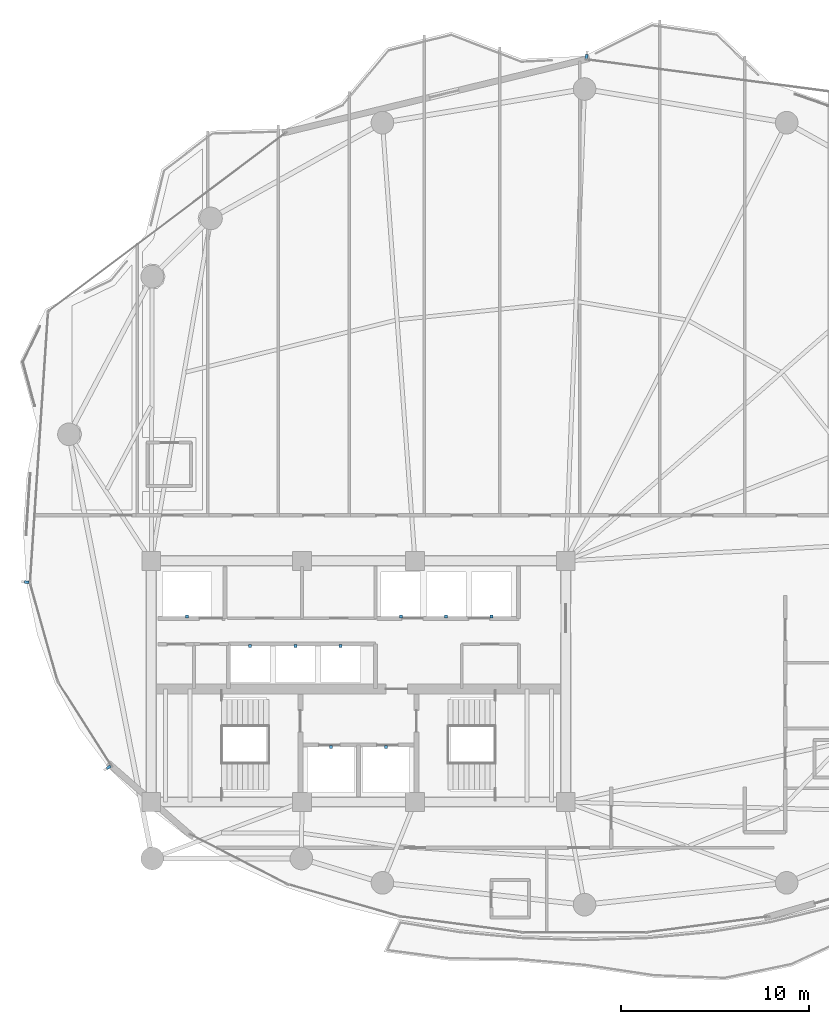
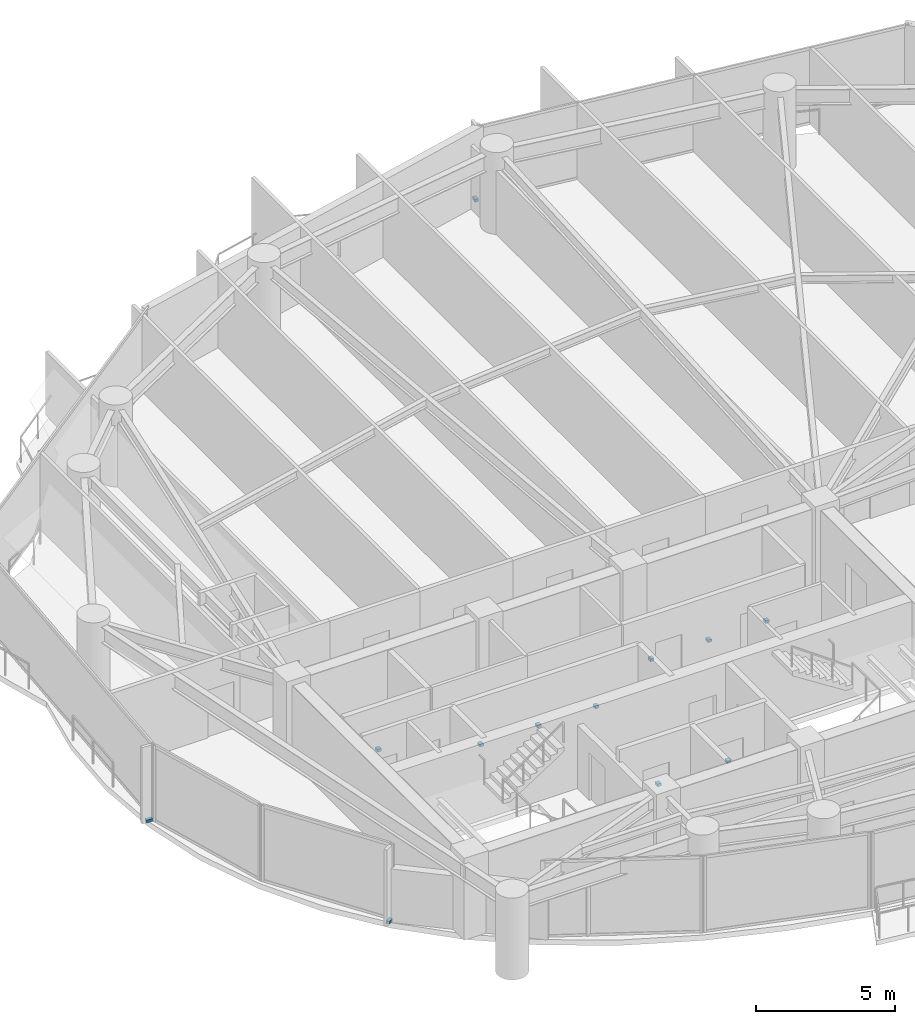
# One storey, part 28 of 31: 12 discrete accessories.
"""IFC4 building model written with IfcOpenShell, lengths in metres."""

from ifc_helpers import new_model, si_unit, direction, frame, origin, origin_2d, place, context, subcontext, project, spatial, rectangle, extrude, material, type_object, element, save


model = new_model("IFC4")

# Units and contexts
model_context = context("Model", 3, precision=1e-05, world=origin(), true_north=direction((0.0, 1.0)))
body_context = subcontext(model_context, "Body", "Model", "MODEL_VIEW")
ifc_project = project(units=[si_unit("LENGTHUNIT", "METRE"), si_unit("AREAUNIT", "SQUARE_METRE"), si_unit("VOLUMEUNIT", "CUBIC_METRE"), si_unit("PLANEANGLEUNIT", "RADIAN"), si_unit("MASSUNIT", "GRAM", prefix="KILO")], contexts=[model_context])

# Site, building, storey
site_placement = place(None, origin())
site = spatial("IfcSite", under=ifc_project, at=site_placement, CompositionType="ELEMENT")
building_placement = place(site_placement, origin())
building = spatial("IfcBuilding", under=site, at=building_placement, Name="Kazevale Care Tower and Concert Hall", CompositionType="ELEMENT")
storey_placement = place(building_placement, frame((0.0, 0.0, 124.199951171875)))
storey = spatial("IfcBuildingStorey", under=building, at=storey_placement, Name="L32", CompositionType="ELEMENT", Elevation=124.199951171875)

# Discrete accessories
ifc_material = material(Name="Stainless Steel 316", Category="steel")
discrete_accessory_type_1 = type_object("IfcDiscreteAccessoryType", Name="Facade Fin Stainless Anchor Bracket BRK-1", PredefinedType="BRACKET", material=ifc_material)
for number, where, z_axis, x_axis, name in (
    (1, (19.739013671875, 25.4443359375, 0.0), (0.0, 0.0, 1.0), (-0.843391445813, -0.537299608347, 0.0), "cw:L32:f11:brk"),
    (2, (15.39892578125, 35.273193359375, 0.0), (0.0, 0.0, 1.0), (-0.997778273548, 0.066622194773, 0.0), "cw:L32:f13:brk"),
    (3, (45.1044921875, 63.1708984375, 0.0), (0.0, 0.0, 1.0), (0.130872263805, 0.991399238736, 0.0), "cw:L32:f16:brk"),
):
    element("IfcDiscreteAccessory", number, at=place(storey_placement, frame(where, z_axis=z_axis, x_axis=x_axis)), inside=storey, type_object=discrete_accessory_type_1, Name=name, PredefinedType="BRACKET", context=body_context, shape_type="SweptSolid", body=[
        extrude(rectangle(XDim=0.239990234375, YDim=0.139892578125, at=origin_2d()), origin(), (0.0, 0.0, 1.0), 0.1201171875),
    ])
discrete_accessory_type_2 = type_object("IfcDiscreteAccessoryType", Name="Hoistway Guide-Rail Wall Bracket HBRK-1", PredefinedType="BRACKET", material=ifc_material)
for number, where, z_axis, x_axis, name in (
    (4, (31.550048828125, 26.52001953125, 1.239990234375), (0.0, 0.0, 1.0), (1.0, 0.0, 0.0), "hbrk:FFL-1:L32"),
    (5, (34.449951171875, 26.52001953125, 1.239990234375), (0.0, 0.0, 1.0), (1.0, 0.0, 0.0), "hbrk:FFL-2:L32"),
    (6, (23.89990234375, 33.449951171875, 1.239990234375), (0.0, 0.0, 1.0), (1.0, 0.0, 0.0), "hbrk:SVL-1:L32"),
    (7, (35.25, 33.449951171875, 1.239990234375), (0.0, 0.0, 1.0), (1.0, 0.0, 0.0), "hbrk:PM-1:L32"),
    (8, (37.64990234375, 33.449951171875, 1.239990234375), (0.0, 0.0, 1.0), (1.0, 0.0, 0.0), "hbrk:PM-2:L32"),
    (9, (40.050048828125, 33.449951171875, 1.239990234375), (0.0, 0.0, 1.0), (1.0, 0.0, 0.0), "hbrk:PM-3:L32"),
    (10, (27.25, 31.8798828125, 1.239990234375), (0.0, 0.0, 1.0), (1.0, 0.0, 0.0), "hbrk:PH-1:L32"),
    (11, (29.64990234375, 31.8798828125, 1.239990234375), (0.0, 0.0, 1.0), (1.0, 0.0, 0.0), "hbrk:PH-2:L32"),
    (12, (32.050048828125, 31.8798828125, 1.239990234375), (0.0, 0.0, 1.0), (1.0, 0.0, 0.0), "hbrk:PH-3:L32"),
):
    element("IfcDiscreteAccessory", number, at=place(storey_placement, frame(where, z_axis=z_axis, x_axis=x_axis)), inside=storey, type_object=discrete_accessory_type_2, Name=name, PredefinedType="BRACKET", context=body_context, shape_type="SweptSolid", body=[
        extrude(rectangle(XDim=0.159912109375, YDim=0.179931640625, at=origin_2d()), origin(), (0.0, 0.0, 1.0), 0.1201171875),
    ])

save(model, "model.ifc")
